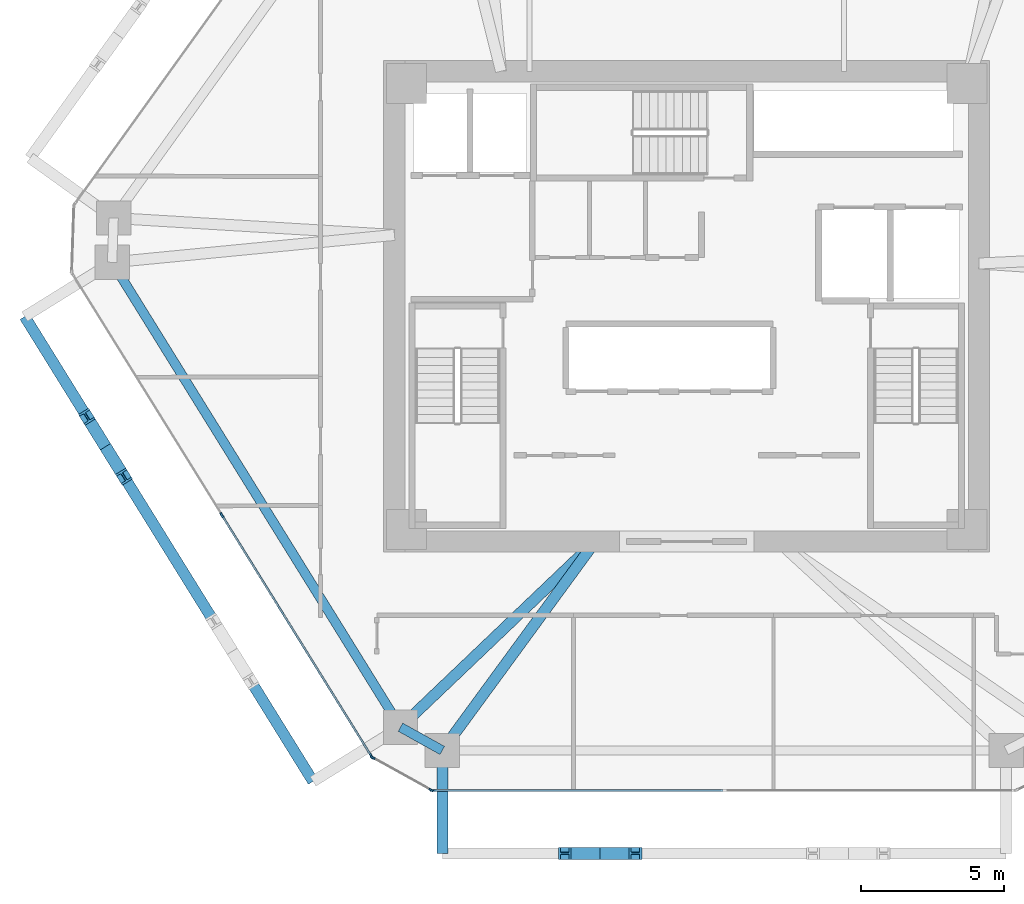
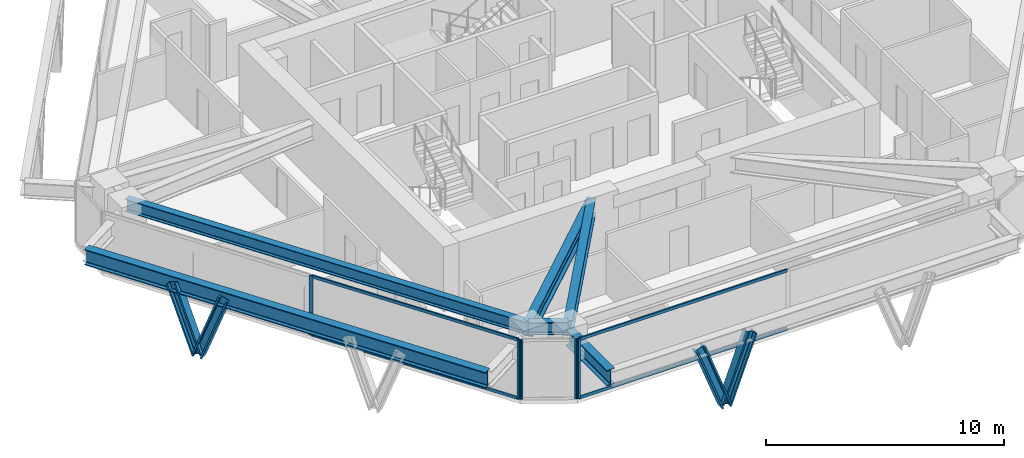
# One storey, part 2 of 14: 13 members, 6 beams, 3 elements without a shape of their own.
"""IFC4 building model written with IfcOpenShell, lengths in metres."""

from ifc_helpers import new_model, si_unit, direction, frame, origin, origin_2d, place, context, subcontext, project, spatial, rectangle, i_section, extrude, source, transform, mapped, material, layer, layer_set, material_profile, profile_set, type_object, type_shapes, element, aggregate, save


model = new_model("IFC4")

# Units and contexts
model_context = context("Model", 3, precision=1e-05, world=origin(), true_north=direction((0.0, 1.0)))
body_context = subcontext(model_context, "Body", "Model", "MODEL_VIEW")
ifc_project = project(units=[si_unit("LENGTHUNIT", "METRE"), si_unit("AREAUNIT", "SQUARE_METRE"), si_unit("VOLUMEUNIT", "CUBIC_METRE"), si_unit("PLANEANGLEUNIT", "RADIAN"), si_unit("MASSUNIT", "GRAM", prefix="KILO")], contexts=[model_context])

# Site, building, storey
site_placement = place(None, origin())
site = spatial("IfcSite", under=ifc_project, at=site_placement, CompositionType="ELEMENT")
building_placement = place(site_placement, origin())
building = spatial("IfcBuilding", under=site, at=building_placement, Name="Durnholm Broadcast Tower", CompositionType="ELEMENT")
storey_placement = place(building_placement, frame((0.0, 0.0, 107.39990234375)))
storey = spatial("IfcBuildingStorey", under=building, at=storey_placement, Name="L28", CompositionType="ELEMENT", Elevation=107.39990234375)

# Beams
ifc_material_1 = material(Name="Steel ASTM A992 Grade 50", Category="steel")
ifc_material_profile_1 = material_profile(ifc_material_1, i_section(OverallWidth=0.385009765625, OverallDepth=0.802978515625, WebThickness=0.023681640625, FlangeThickness=0.0419921875, FilletRadius=0.032958984375, at=origin_2d()), Name="W30X261")
ifc_profile_set_1 = profile_set([ifc_material_profile_1], Name="Steel ASTM A992 Grade 50")
beam_type_1 = type_object("IfcBeamType", Name="BM-EXO-TIE", PredefinedType="USERDEFINED", material=ifc_profile_set_1)
shared_shape_1 = source(origin(), body_context, "Body", "SweptSolid", [
    extrude(i_section(OverallWidth=0.385009765625, OverallDepth=0.802978515625, WebThickness=0.023681640625, FlangeThickness=0.0419921875, FilletRadius=0.032958984375, at=origin_2d()), origin(), (0.0, 0.0, 1.0), 3.4560546875),
])
beam_1_placement = place(storey_placement, frame((-8.552001953125, -15.680908203125, 2.30859375), z_axis=(0.0, -1.0, 0.0), x_axis=(1.0, 0.0, 0.0)))
element("IfcBeam", 1, at=beam_1_placement, inside=storey, type_object=beam_type_1, Name="L28 exoskeleton stand-off tie bracket F1.1", ObjectType="GIRDER", PredefinedType="USERDEFINED", context=body_context, shape_type="MappedRepresentation", body=[
    mapped(shared_shape_1, transform((0.0, 0.0, 0.0), x_axis=(1.0, 0.0, 0.0), y_axis=(0.0, 1.0, 0.0), z_axis=(0.0, 0.0, 1.0), scale=1.0)),
])
ifc_material_profile_2 = material_profile(ifc_material_1, i_section(OverallWidth=0.3291015625, OverallDepth=0.635009765625, WebThickness=0.017822265625, FlangeThickness=0.031005859375, FilletRadius=0.02783203125, at=origin_2d()), Name="W24X162")
ifc_profile_set_2 = profile_set([ifc_material_profile_2], Name="Steel ASTM A992 Grade 50")
beam_type_2 = type_object("IfcBeamType", Name="STL-SP-W24X162", PredefinedType="SPANDREL", material=ifc_profile_set_2)
shared_shape_2 = source(origin(), body_context, "Body", "SweptSolid", [
    extrude(i_section(OverallWidth=0.3291015625, OverallDepth=0.635009765625, WebThickness=0.017822265625, FlangeThickness=0.031005859375, FilletRadius=0.02783203125, at=origin_2d()), origin(), (0.0, 0.0, 1.0), 19.1396484375),
])
beam_2_placement = place(storey_placement, frame((-10.01416015625, -14.723388671875, 2.7275390625), z_axis=(-0.527105324954, 0.849799962582, 0.0), x_axis=(-0.849799962582, -0.527105324954, 0.0)))
element("IfcBeam", 2, at=beam_2_placement, inside=storey, type_object=beam_type_2, Name="L28 perimeter spandrel girder 01", PredefinedType="SPANDREL", context=body_context, shape_type="MappedRepresentation", body=[
    mapped(shared_shape_2, transform((0.0, 0.0, 0.0), x_axis=(1.0, 0.0, 0.0), y_axis=(0.0, 1.0, 0.0), z_axis=(0.0, 0.0, 1.0), scale=1.0)),
])
shared_shape_3 = source(origin(), body_context, "Body", "SweptSolid", [
    extrude(i_section(OverallWidth=0.3291015625, OverallDepth=0.635009765625, WebThickness=0.017822265625, FlangeThickness=0.031005859375, FilletRadius=0.02783203125, at=origin_2d()), origin(), (0.0, 0.0, 1.0), 1.67333984375),
])
type_shapes(beam_type_2, [shared_shape_2, shared_shape_3])
beam_3_placement = place(storey_placement, frame((-8.552001953125, -15.537109375, 2.7275390625), z_axis=(-0.873799169188, 0.486286964586, 0.0), x_axis=(-0.486286964586, -0.873799169188, 0.0)))
element("IfcBeam", 3, at=beam_3_placement, inside=storey, type_object=beam_type_2, Name="L28 perimeter spandrel girder 12", PredefinedType="SPANDREL", context=body_context, shape_type="MappedRepresentation", body=[
    mapped(shared_shape_3, transform((0.0, 0.0, 0.0), x_axis=(1.0, 0.0, 0.0), y_axis=(0.0, 1.0, 0.0), z_axis=(0.0, 0.0, 1.0), scale=1.0)),
])
ifc_material_profile_3 = material_profile(ifc_material_1, i_section(OverallWidth=0.385009765625, OverallDepth=0.802978515625, WebThickness=0.023681640625, FlangeThickness=0.0419921875, FilletRadius=0.032958984375, at=origin_2d()), Name="W30X261")
ifc_profile_set_3 = profile_set([ifc_material_profile_3], Name="Steel ASTM A992 Grade 50")
beam_type_3 = type_object("IfcBeamType", Name="STL-GR-W30X261", PredefinedType="USERDEFINED", material=ifc_profile_set_3)
shared_shape_4 = source(origin(), body_context, "Body", "SweptSolid", [
    extrude(i_section(OverallWidth=0.385009765625, OverallDepth=0.802978515625, WebThickness=0.023681640625, FlangeThickness=0.0419921875, FilletRadius=0.032958984375, at=origin_2d()), origin(), (0.0, 0.0, 1.0), 9.416015625),
])
beam_4_placement = place(storey_placement, frame((-3.199951171875, -8.22509765625, 2.6435546875), z_axis=(-0.723683335801, -0.690132182617, 0.0), x_axis=(0.690132182617, -0.723683335801, 0.0)))
element("IfcBeam", 4, at=beam_4_placement, inside=storey, type_object=beam_type_3, Name="L28 radial primary floor girder 01", ObjectType="GIRDER", PredefinedType="USERDEFINED", context=body_context, shape_type="MappedRepresentation", body=[
    mapped(shared_shape_4, transform((0.0, 0.0, 0.0), x_axis=(1.0, 0.0, 0.0), y_axis=(0.0, 1.0, 0.0), z_axis=(0.0, 0.0, 1.0), scale=1.0)),
])
shared_shape_5 = source(origin(), body_context, "Body", "SweptSolid", [
    extrude(i_section(OverallWidth=0.385009765625, OverallDepth=0.802978515625, WebThickness=0.023681640625, FlangeThickness=0.0419921875, FilletRadius=0.032958984375, at=origin_2d()), origin(), (0.0, 0.0, 1.0), 9.0615234375),
])
type_shapes(beam_type_3, [shared_shape_4, shared_shape_5])
beam_5_placement = place(storey_placement, frame((-3.199951171875, -8.22509765625, 2.6435546875), z_axis=(-0.590639241086, -0.806935739008, 0.0), x_axis=(0.806935739008, -0.590639241086, 0.0)))
element("IfcBeam", 5, at=beam_5_placement, inside=storey, type_object=beam_type_3, Name="L28 radial primary floor girder 12", ObjectType="GIRDER", PredefinedType="USERDEFINED", context=body_context, shape_type="MappedRepresentation", body=[
    mapped(shared_shape_5, transform((0.0, 0.0, 0.0), x_axis=(1.0, 0.0, 0.0), y_axis=(0.0, 1.0, 0.0), z_axis=(0.0, 0.0, 1.0), scale=1.0)),
])
shared_shape_6 = source(origin(), body_context, "Body", "SweptSolid", [
    extrude(i_section(OverallWidth=0.385009765625, OverallDepth=0.802978515625, WebThickness=0.023681640625, FlangeThickness=0.0419921875, FilletRadius=0.032958984375, at=origin_2d()), origin(), (0.0, 0.0, 1.0), 19.139404296875),
])
type_shapes(beam_type_1, [shared_shape_1, shared_shape_6])
beam_6_placement = place(storey_placement, frame((-23.162109375, -0.356201171875, 2.30859375), z_axis=(0.527111038734, -0.84979641847, 0.0), x_axis=(0.84979641847, 0.527111038734, 0.0)))
element("IfcBeam", 6, at=beam_6_placement, inside=storey, type_object=beam_type_1, Name="L28 exoskeleton collector spandrel F6", PredefinedType="SPANDREL", context=body_context, shape_type="MappedRepresentation", body=[
    mapped(shared_shape_6, transform((0.0, 0.0, 0.0), x_axis=(1.0, 0.0, 0.0), y_axis=(0.0, 1.0, 0.0), z_axis=(0.0, 0.0, 1.0), scale=1.0)),
])

# Members
ifc_material_2 = material(Name="Steel ASTM A913 Grade 65", Category="steel")
ifc_material_profile_4 = material_profile(ifc_material_2, i_section(OverallWidth=0.424072265625, OverallDepth=0.47412109375, WebThickness=0.047607421875, FlangeThickness=0.0771484375, FilletRadius=0.030517578125, at=origin_2d()), Name="W14X426")
ifc_profile_set_4 = profile_set([ifc_material_profile_4], Name="Steel ASTM A913 Grade 65")
member_type_1 = type_object("IfcMemberType", Name="STL-DG-W14X426", PredefinedType="BRACE", material=ifc_profile_set_4)
shared_shape_7 = source(origin(), body_context, "Body", "SweptSolid", [
    extrude(i_section(OverallWidth=0.424072265625, OverallDepth=0.47412109375, WebThickness=0.047607421875, FlangeThickness=0.0771484375, FilletRadius=0.030517578125, at=origin_2d()), origin(), (0.0, 0.0, 1.0), 3.52294921875),
])
type_shapes(member_type_1, [shared_shape_7])
for number, where, z_axis, x_axis, name in (
    (7, (-3.028076171875, -19.136962890625, -0.9912109375), (-0.350242321485, 0.0, 0.93665912489), (0.0, -1.0, 0.0), "L28 stand-off diagrid brace F1.D1.1"),
    (8, (-3.028076171875, -19.136962890625, -0.9912109375), (0.350242321485, 0.0, 0.93665912489), (0.0, 1.0, 0.0), "L28 stand-off diagrid brace F1.D1.2"),
    (9, (-20.337158203125, -4.910400390625, -0.9912109375), (-0.184614818514, 0.297642884954, 0.936656864503), (-0.849805205368, -0.527096872433, 0.0), "L28 stand-off diagrid brace F6.D1.1"),
    (10, (-20.337158203125, -4.910400390625, -0.9912109375), (0.184618626166, -0.297579722507, 0.936676182907), (0.849750220063, 0.527185511469, 0.0), "L28 stand-off diagrid brace F6.D1.2"),
):
    element("IfcMember", number, at=place(storey_placement, frame(where, z_axis=z_axis, x_axis=x_axis)), inside=storey, type_object=member_type_1, Name=name, PredefinedType="BRACE", context=body_context, shape_type="MappedRepresentation", body=[
        mapped(shared_shape_7, transform((0.0, 0.0, 0.0), x_axis=(1.0, 0.0, 0.0), y_axis=(0.0, 1.0, 0.0), z_axis=(0.0, 0.0, 1.0), scale=1.0)),
    ])

# Curtain wall, members
ifc_material_3 = material(Name="Aluminium and Solar Control IGU", Category="aluminium")
ifc_layer_1 = layer(ifc_material_3, 0.1650390625)
ifc_layer_set_1 = layer_set([ifc_layer_1], Name="Aluminium and Solar Control IGU")
curtain_wall_type_1 = type_object("IfcCurtainWallType", Name="CW-SYS-5", PredefinedType="NOTDEFINED", material=ifc_layer_set_1)
curtain_wall_1_placement = place(storey_placement, origin())
curtain_wall_1 = element("IfcCurtainWall", 11, at=curtain_wall_1_placement, inside=storey, type_object=curtain_wall_type_1, Name="L28 curtain wall CW-CORNER CW-L28-CRN-11", PredefinedType="NOTDEFINED")
ifc_material_4 = material(Name="Aluminium 6063-T6", Category="aluminium")
ifc_material_profile_5 = material_profile(ifc_material_4, rectangle(XDim=0.06494140625, YDim=0.1650390625, at=origin_2d()), Name="CWM65X165")
ifc_profile_set_5 = profile_set([ifc_material_profile_5], Name="Aluminium 6063-T6")
member_type_2 = type_object("IfcMemberType", Name="CW-SYS-5-MUL", PredefinedType="MULLION", material=ifc_profile_set_5)
shared_shape_8 = source(origin(), body_context, "Body", "SweptSolid", [
    extrude(rectangle(XDim=0.06494140625, YDim=0.1650390625, at=origin_2d()), origin(), (0.0, 0.0, 1.0), 3.06005859375),
])
type_shapes(member_type_2, [shared_shape_8])
member_1_placement = place(storey_placement, frame((-8.943603515625, -16.921142578125, 0.0), z_axis=(0.0, 0.0, 1.0), x_axis=(-0.486244224192, -0.873822953715, 0.0)))
member_1 = element("IfcMember", 12, at=member_1_placement, type_object=member_type_2, Name="CW-CORNER mullion 1", PredefinedType="MULLION", context=body_context, shape_type="MappedRepresentation", body=[
    mapped(shared_shape_8, transform((0.0, 0.0, 0.0), x_axis=(1.0, 0.0, 0.0), y_axis=(0.0, 1.0, 0.0), z_axis=(0.0, 0.0, 1.0), scale=1.0)),
])
member_2_placement = place(storey_placement, frame((-10.98388671875, -15.785888671875, 0.0), z_axis=(0.0, 0.0, 1.0), x_axis=(-0.486244224192, -0.873822953715, 0.0)))
member_2 = element("IfcMember", 13, at=member_2_placement, type_object=member_type_2, Name="CW-CORNER mullion 2", PredefinedType="MULLION", context=body_context, shape_type="MappedRepresentation", body=[
    mapped(shared_shape_8, transform((0.0, 0.0, 0.0), x_axis=(1.0, 0.0, 0.0), y_axis=(0.0, 1.0, 0.0), z_axis=(0.0, 0.0, 1.0), scale=1.0)),
])
aggregate(curtain_wall_1, [member_1, member_2])

# Curtain wall, member
ifc_layer_2 = layer(ifc_material_3, 0.18994140625)
ifc_layer_set_2 = layer_set([ifc_layer_2], Name="Aluminium and Solar Control IGU")
curtain_wall_type_2 = type_object("IfcCurtainWallType", Name="CW-SYS-3", PredefinedType="NOTDEFINED", material=ifc_layer_set_2)
curtain_wall_2_placement = place(storey_placement, origin())
curtain_wall_2 = element("IfcCurtainWall", 14, at=curtain_wall_2_placement, inside=storey, type_object=curtain_wall_type_2, Name="L28 curtain wall CW-Z12-VIS CW-L28-F10", PredefinedType="NOTDEFINED")
ifc_material_profile_6 = material_profile(ifc_material_4, rectangle(XDim=0.070068359375, YDim=0.18994140625, at=origin_2d()), Name="CWM70X190")
ifc_profile_set_6 = profile_set([ifc_material_profile_6], Name="Aluminium 6063-T6")
member_type_3 = type_object("IfcMemberType", Name="CW-SYS-3-MUL", PredefinedType="MULLION", material=ifc_profile_set_6)
shared_shape_9 = source(origin(), body_context, "Body", "SweptSolid", [
    extrude(rectangle(XDim=0.070068359375, YDim=0.18994140625, at=origin_2d()), origin(), (0.0, 0.0, 1.0), 3.06005859375),
])
type_shapes(member_type_3, [shared_shape_9])
member_3_placement = place(storey_placement, frame((-8.880126953125, -16.93701171875, 0.0), z_axis=(0.0, 0.0, 1.0), x_axis=(0.0, -1.0, 0.0)))
member_3 = element("IfcMember", 15, at=member_3_placement, type_object=member_type_3, Name="CW-Z12-VIS mullion 3", PredefinedType="MULLION", context=body_context, shape_type="MappedRepresentation", body=[
    mapped(shared_shape_9, transform((0.0, 0.0, 0.0), x_axis=(1.0, 0.0, 0.0), y_axis=(0.0, 1.0, 0.0), z_axis=(0.0, 0.0, 1.0), scale=1.0)),
])

# Curtain wall, members
curtain_wall_3_placement = place(storey_placement, origin())
curtain_wall_3 = element("IfcCurtainWall", 16, at=curtain_wall_3_placement, inside=storey, type_object=curtain_wall_type_2, Name="L28 curtain wall CW-Z12-VIS CW-L28-F12", PredefinedType="NOTDEFINED")
member_4_placement = place(storey_placement, frame((-11.03076171875, -15.740234375, 0.0), z_axis=(0.0, 0.0, 1.0), x_axis=(-0.849799925229, -0.527105385176, 0.0)))
member_4 = element("IfcMember", 17, at=member_4_placement, type_object=member_type_3, Name="CW-Z12-VIS mullion 1", PredefinedType="MULLION", context=body_context, shape_type="MappedRepresentation", body=[
    mapped(shared_shape_9, transform((0.0, 0.0, 0.0), x_axis=(1.0, 0.0, 0.0), y_axis=(0.0, 1.0, 0.0), z_axis=(0.0, 0.0, 1.0), scale=1.0)),
])
member_5_placement = place(storey_placement, frame((-16.264404296875, -7.302734375, 0.0), z_axis=(0.0, 0.0, 1.0), x_axis=(-0.849799925229, -0.527105385176, 0.0)))
member_5 = element("IfcMember", 18, at=member_5_placement, type_object=member_type_3, Name="CW-Z12-VIS mullion 2", PredefinedType="MULLION", context=body_context, shape_type="MappedRepresentation", body=[
    mapped(shared_shape_9, transform((0.0, 0.0, 0.0), x_axis=(1.0, 0.0, 0.0), y_axis=(0.0, 1.0, 0.0), z_axis=(0.0, 0.0, 1.0), scale=1.0)),
])

# Member
ifc_material_profile_7 = material_profile(ifc_material_4, rectangle(XDim=0.070068359375, YDim=0.14990234375, at=origin_2d()), Name="CWT70X150")
ifc_profile_set_7 = profile_set([ifc_material_profile_7], Name="Aluminium 6063-T6")
member_type_4 = type_object("IfcMemberType", Name="CW-SYS-3-TRN", PredefinedType="USERDEFINED", material=ifc_profile_set_7)
shared_shape_10 = source(origin(), body_context, "Body", "SweptSolid", [
    extrude(rectangle(XDim=0.070068359375, YDim=0.14990234375, at=origin_2d()), origin(), (0.0, 0.0, 1.0), 10.109619140625),
])
member_6_placement = place(storey_placement, frame((1.264404296875, -16.93701171875, 0.03515625), z_axis=(-1.0, 0.0, 0.0), x_axis=(0.0, -1.0, 0.0)))
member_6 = element("IfcMember", 19, at=member_6_placement, type_object=member_type_4, Name="CW-Z12-VIS transom 2.1", ObjectType="TRANSOM", PredefinedType="USERDEFINED", context=body_context, shape_type="MappedRepresentation", body=[
    mapped(shared_shape_10, transform((0.0, 0.0, 0.0), x_axis=(1.0, 0.0, 0.0), y_axis=(0.0, 1.0, 0.0), z_axis=(0.0, 0.0, 1.0), scale=1.0)),
])

member_7_placement = place(storey_placement, frame((1.264404296875, -16.93701171875, 3.025146484375), z_axis=(-1.0, 0.0, 0.0), x_axis=(0.0, -1.0, 0.0)))
member_7 = element("IfcMember", 20, at=member_7_placement, type_object=member_type_4, Name="CW-Z12-VIS transom 2.2", ObjectType="TRANSOM", PredefinedType="USERDEFINED", context=body_context, shape_type="MappedRepresentation", body=[
    mapped(shared_shape_10, transform((0.0, 0.0, 0.0), x_axis=(1.0, 0.0, 0.0), y_axis=(0.0, 1.0, 0.0), z_axis=(0.0, 0.0, 1.0), scale=1.0)),
])

aggregate(curtain_wall_2, [member_3, member_6, member_7])

shared_shape_11 = source(origin(), body_context, "Body", "SweptSolid", [
    extrude(rectangle(XDim=0.070068359375, YDim=0.14990234375, at=origin_2d()), origin(), (0.0, 0.0, 1.0), 9.858642578125),
])
type_shapes(member_type_4, [shared_shape_10, shared_shape_11])
member_8_placement = place(storey_placement, frame((-11.04931640625, -15.71044921875, 0.03515625), z_axis=(-0.527102081419, 0.849801974441, 0.0), x_axis=(-0.849801974441, -0.527102081419, 0.0)))
member_8 = element("IfcMember", 21, at=member_8_placement, type_object=member_type_4, Name="CW-Z12-VIS transom 1.1", ObjectType="TRANSOM", PredefinedType="USERDEFINED", context=body_context, shape_type="MappedRepresentation", body=[
    mapped(shared_shape_11, transform((0.0, 0.0, 0.0), x_axis=(1.0, 0.0, 0.0), y_axis=(0.0, 1.0, 0.0), z_axis=(0.0, 0.0, 1.0), scale=1.0)),
])

member_9_placement = place(storey_placement, frame((-11.04931640625, -15.71044921875, 3.025146484375), z_axis=(-0.527102081419, 0.849801974441, 0.0), x_axis=(-0.849801974441, -0.527102081419, 0.0)))
member_9 = element("IfcMember", 22, at=member_9_placement, type_object=member_type_4, Name="CW-Z12-VIS transom 1.2", ObjectType="TRANSOM", PredefinedType="USERDEFINED", context=body_context, shape_type="MappedRepresentation", body=[
    mapped(shared_shape_11, transform((0.0, 0.0, 0.0), x_axis=(1.0, 0.0, 0.0), y_axis=(0.0, 1.0, 0.0), z_axis=(0.0, 0.0, 1.0), scale=1.0)),
])

aggregate(curtain_wall_3, [member_4, member_5, member_8, member_9])

save(model, "model.ifc")
